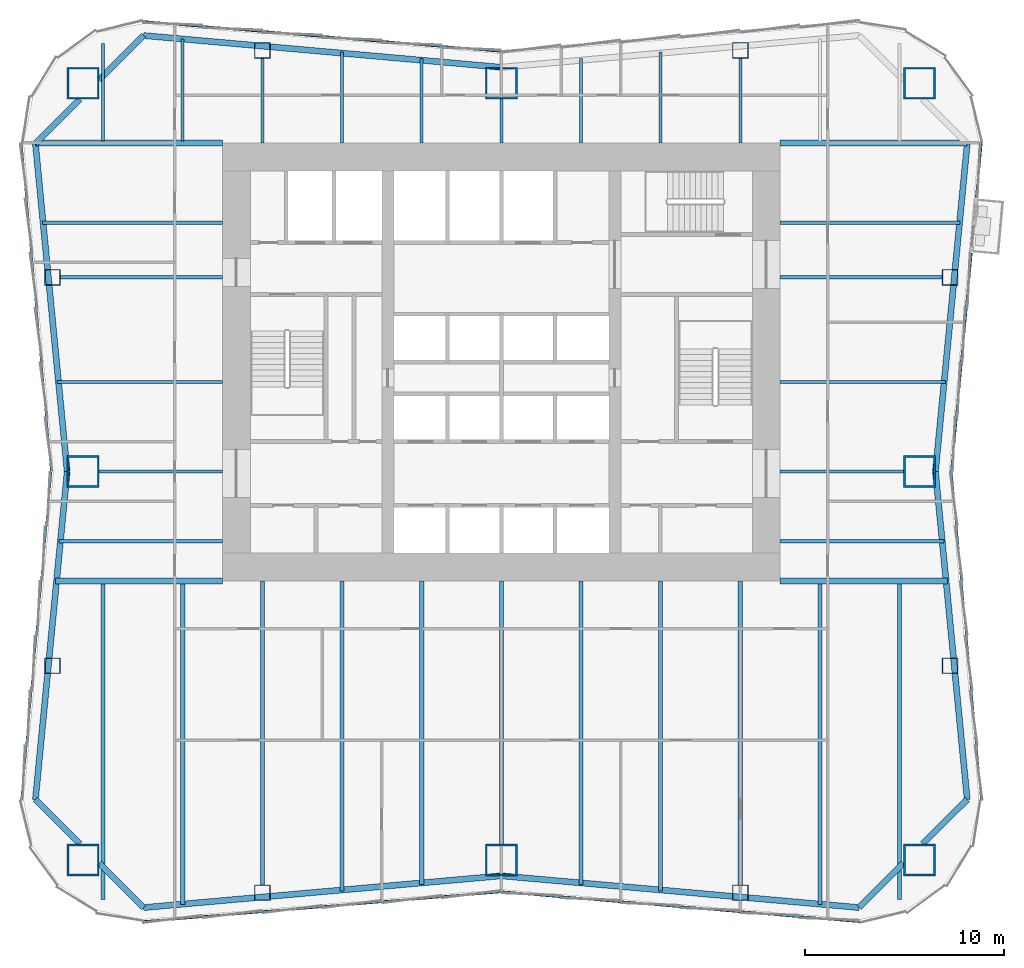
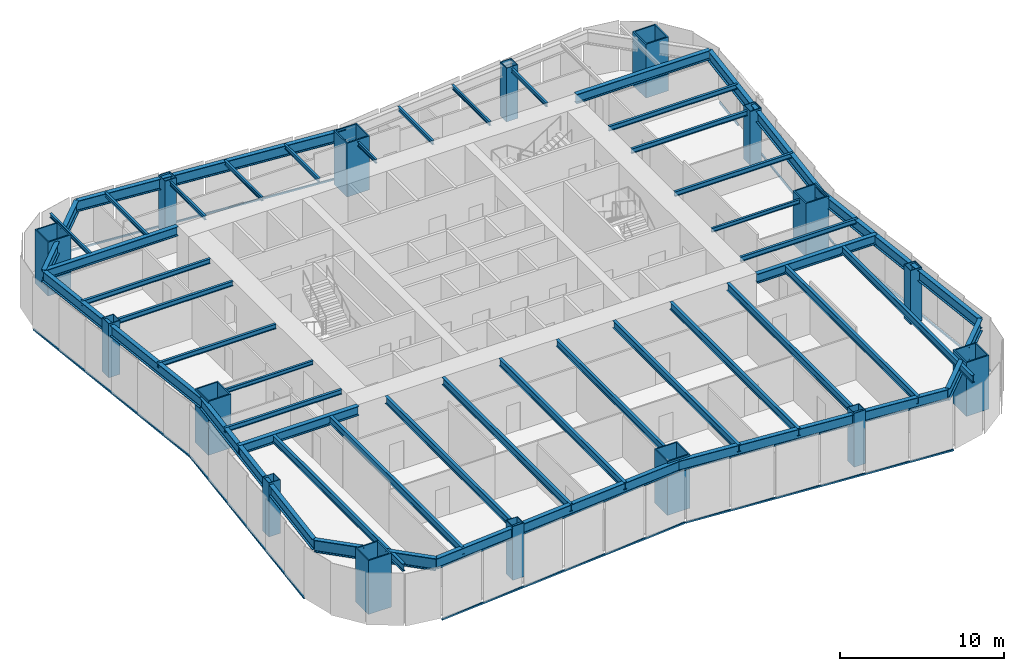
# One storey, part 1 of 8: 47 beams, 16 columns, 8 members, 4 elements without a shape of their own.
"""IFC4 building model written with IfcOpenShell, lengths in metres."""

from ifc_helpers import new_model, si_unit, direction, frame, origin, origin_2d, place, context, subcontext, project, spatial, rectangle, hollow_rectangle, i_section, extrude, material, material_profile, profile_set, type_object, element, aggregate, save


model = new_model("IFC4")

# Units and contexts
model_context = context("Model", 3, precision=1e-05, world=origin(), true_north=direction((0.0, 1.0)))
body_context = subcontext(model_context, "Body", "Model", "MODEL_VIEW")
ifc_project = project(units=[si_unit("LENGTHUNIT", "METRE"), si_unit("AREAUNIT", "SQUARE_METRE"), si_unit("VOLUMEUNIT", "CUBIC_METRE"), si_unit("PLANEANGLEUNIT", "RADIAN"), si_unit("MASSUNIT", "GRAM", prefix="KILO")], contexts=[model_context])

# Site, building, storey
site_placement = place(None, origin())
site = spatial("IfcSite", under=ifc_project, at=site_placement, CompositionType="ELEMENT")
building_placement = place(site_placement, origin())
building = spatial("IfcBuilding", under=site, at=building_placement, Name="Verdant Reach Tower", CompositionType="ELEMENT")
storey_placement = place(building_placement, frame((0.0, 0.0, 18.0)))
storey = spatial("IfcBuildingStorey", under=building, at=storey_placement, Name="L03", CompositionType="ELEMENT", Elevation=18.0)

# Columns
ifc_material_1 = material(Name="Steel S460", Category="steel")
ifc_material_profile_1 = material_profile(ifc_material_1, hollow_rectangle(XDim=1.60009765625, YDim=1.60009765625, WallThickness=0.090087890625, at=origin_2d()), Name="WB 1600x1600x90")
ifc_profile_set_1 = profile_set([ifc_material_profile_1], Name="Steel S460")
column_type_1 = type_object("IfcColumnType", Name="ST-COL-WB1600x1600x90", PredefinedType="COLUMN", material=ifc_profile_set_1)
for number, where, z_axis, x_axis, name in (
    (1, (-21.0, 42.0, 0.0), (0.0, 0.0, 1.0), (1.0, 0.0, 0.0), "Mega column north-west, L03"),
    (2, (0.0, 42.0, 0.0), (0.0, 0.0, 1.0), (1.0, 0.0, 0.0), "Mega column north, L03"),
    (3, (21.0, 42.0, 0.0), (0.0, 0.0, 1.0), (1.0, 0.0, 0.0), "Mega column north-east, L03"),
    (4, (21.0, 22.5, 0.0), (0.0, 0.0, 1.0), (1.0, 0.0, 0.0), "Mega column east, L03"),
    (5, (21.0, 3.0, 0.0), (0.0, 0.0, 1.0), (1.0, 0.0, 0.0), "Mega column south-east, L03"),
    (6, (0.0, 3.0, 0.0), (0.0, 0.0, 1.0), (1.0, 0.0, 0.0), "Mega column south, L03"),
    (7, (-21.0, 3.0, 0.0), (0.0, 0.0, 1.0), (1.0, 0.0, 0.0), "Mega column south-west, L03"),
    (8, (-21.0, 22.5, 0.0), (0.0, 0.0, 1.0), (1.0, 0.0, 0.0), "Mega column west, L03"),
):
    element("IfcColumn", number, at=place(storey_placement, frame(where, z_axis=z_axis, x_axis=x_axis)), inside=storey, type_object=column_type_1, Name=name, PredefinedType="COLUMN", context=body_context, shape_type="SweptSolid", body=[
        extrude(hollow_rectangle(XDim=1.60009765625, YDim=1.60009765625, WallThickness=0.090087890625, at=origin_2d()), origin(), (0.0, 0.0, 1.0), 4.0),
    ])
ifc_material_profile_2 = material_profile(ifc_material_1, hollow_rectangle(XDim=0.800048828125, YDim=0.800048828125, WallThickness=0.0400390625, at=origin_2d()), Name="WB 800x800x40")
ifc_profile_set_2 = profile_set([ifc_material_profile_2], Name="Steel S460")
column_type_2 = type_object("IfcColumnType", Name="ST-COL-WB800x800x40", PredefinedType="COLUMN", material=ifc_profile_set_2)
for number, where, z_axis, x_axis, name in (
    (9, (-12.0, 43.64990234375, 0.0), (0.0, 0.0, 1.0), (1.0, 0.0, 0.0), "Perimeter column north 1, L03"),
    (10, (12.0, 43.64990234375, 0.0), (0.0, 0.0, 1.0), (1.0, 0.0, 0.0), "Perimeter column north 2, L03"),
    (11, (-12.0, 1.35009765625, 0.0), (0.0, 0.0, 1.0), (1.0, 0.0, 0.0), "Perimeter column south 1, L03"),
    (12, (12.0, 1.35009765625, 0.0), (0.0, 0.0, 1.0), (1.0, 0.0, 0.0), "Perimeter column south 2, L03"),
    (13, (22.536376953125, 12.75, 0.0), (0.0, 0.0, 1.0), (1.0, 0.0, 0.0), "Perimeter column east 1, L03"),
    (14, (22.536376953125, 32.25, 0.0), (0.0, 0.0, 1.0), (1.0, 0.0, 0.0), "Perimeter column east 2, L03"),
    (15, (-22.536376953125, 12.75, 0.0), (0.0, 0.0, 1.0), (1.0, 0.0, 0.0), "Perimeter column west 1, L03"),
    (16, (-22.536376953125, 32.25, 0.0), (0.0, 0.0, 1.0), (1.0, 0.0, 0.0), "Perimeter column west 2, L03"),
):
    element("IfcColumn", number, at=place(storey_placement, frame(where, z_axis=z_axis, x_axis=x_axis)), inside=storey, type_object=column_type_2, Name=name, PredefinedType="COLUMN", context=body_context, shape_type="SweptSolid", body=[
        extrude(hollow_rectangle(XDim=0.800048828125, YDim=0.800048828125, WallThickness=0.0400390625, at=origin_2d()), origin(), (0.0, 0.0, 1.0), 4.0),
    ])

# Curtain wall, members
ifc_material_2 = material(Name="Anodised aluminium", Category="aluminium")
curtain_wall_type = type_object("IfcCurtainWallType", Name="EN-CW SYSTEM Z0", PredefinedType="NOTDEFINED", material=ifc_material_2)
curtain_wall_1_placement = place(storey_placement, origin())
curtain_wall_1 = element("IfcCurtainWall", 17, at=curtain_wall_1_placement, inside=storey, type_object=curtain_wall_type, Name="Curtain wall east, L03", PredefinedType="NOTDEFINED")
ifc_material_profile_3 = material_profile(ifc_material_2, rectangle(XDim=0.10009765625, YDim=0.1201171875, at=origin_2d()), Name="Transom 120x100")
ifc_profile_set_3 = profile_set([ifc_material_profile_3], Name="Anodised aluminium")
member_type = type_object("IfcMemberType", Name="EN-TRANSOM Z0", PredefinedType="USERDEFINED", material=ifc_profile_set_3)
member_1_placement = place(storey_placement, frame((24.09716796875, 6.024658203125, -0.2900390625), z_axis=(-0.090495755184, 0.995896841191, 0.0), x_axis=(-0.995896841191, -0.090495755184, 0.0)))
member_1 = element("IfcMember", 18, at=member_1_placement, type_object=member_type, Name="Transom east face part 1 1.1, L03", ObjectType="TRANSOM", PredefinedType="USERDEFINED", context=body_context, shape_type="SweptSolid", body=[
    extrude(rectangle(XDim=0.10009765625, YDim=0.1201171875, at=origin_2d()), origin(), (0.0, 0.0, 1.0), 16.513427734375),
])
member_2_placement = place(storey_placement, frame((22.602783203125, 22.52978515625, -0.2900390625), z_axis=(0.090569838391, 0.995890106575, 0.0), x_axis=(-0.995890106575, 0.090569838391, 0.0)))
member_2 = element("IfcMember", 19, at=member_2_placement, type_object=member_type, Name="Transom east face part 2 1.1, L03", ObjectType="TRANSOM", PredefinedType="USERDEFINED", context=body_context, shape_type="SweptSolid", body=[
    extrude(rectangle(XDim=0.10009765625, YDim=0.1201171875, at=origin_2d()), origin(), (0.0, 0.0, 1.0), 10.9765625),
])
member_3_placement = place(storey_placement, frame((23.852294921875, 36.270751953125, -0.2900390625), z_axis=(0.090170976609, 0.995926299973, 0.0), x_axis=(-0.995926299973, 0.090170976609, 0.0)))
member_3 = element("IfcMember", 20, at=member_3_placement, type_object=member_type, Name="Transom east face part 2 2.1, L03", ObjectType="TRANSOM", PredefinedType="USERDEFINED", context=body_context, shape_type="SweptSolid", body=[
    extrude(rectangle(XDim=0.10009765625, YDim=0.1201171875, at=origin_2d()), origin(), (0.0, 0.0, 1.0), 2.715576171875),
])
aggregate(curtain_wall_1, [member_1, member_2, member_3])

# Curtain wall, member
curtain_wall_2_placement = place(storey_placement, origin())
curtain_wall_2 = element("IfcCurtainWall", 21, at=curtain_wall_2_placement, inside=storey, type_object=curtain_wall_type, Name="Curtain wall north, L03", PredefinedType="NOTDEFINED")
member_4_placement = place(storey_placement, frame((-0.02978515625, 43.6025390625, -0.2900390625), z_axis=(-0.996548656072, 0.083010698588, 0.0), x_axis=(-0.083010698588, -0.996548656072, 0.0)))
member_4 = element("IfcMember", 22, at=member_4_placement, type_object=member_type, Name="Transom north face part 2 1.1, L03", ObjectType="TRANSOM", PredefinedType="USERDEFINED", context=body_context, shape_type="SweptSolid", body=[
    extrude(rectangle(XDim=0.10009765625, YDim=0.1201171875, at=origin_2d()), origin(), (0.0, 0.0, 1.0), 18.00830078125),
])
aggregate(curtain_wall_2, [member_4])

# Curtain wall, members
curtain_wall_3_placement = place(storey_placement, origin())
curtain_wall_3 = element("IfcCurtainWall", 23, at=curtain_wall_3_placement, inside=storey, type_object=curtain_wall_type, Name="Curtain wall west, L03", PredefinedType="NOTDEFINED")
member_5_placement = place(storey_placement, frame((-24.09716796875, 38.975341796875, -0.2900390625), z_axis=(0.090495755184, -0.995896841191, 0.0), x_axis=(0.995896841191, 0.090495755184, 0.0)))
member_5 = element("IfcMember", 24, at=member_5_placement, type_object=member_type, Name="Transom west face part 1 1.1, L03", ObjectType="TRANSOM", PredefinedType="USERDEFINED", context=body_context, shape_type="SweptSolid", body=[
    extrude(rectangle(XDim=0.10009765625, YDim=0.1201171875, at=origin_2d()), origin(), (0.0, 0.0, 1.0), 16.513427734375),
])
member_6_placement = place(storey_placement, frame((-22.602783203125, 22.47021484375, -0.2900390625), z_axis=(-0.090495755184, -0.995896841191, 0.0), x_axis=(0.995896841191, -0.090495755184, 0.0)))
member_6 = element("IfcMember", 25, at=member_6_placement, type_object=member_type, Name="Transom west face part 2 1.1, L03", ObjectType="TRANSOM", PredefinedType="USERDEFINED", context=body_context, shape_type="SweptSolid", body=[
    extrude(rectangle(XDim=0.10009765625, YDim=0.1201171875, at=origin_2d()), origin(), (0.0, 0.0, 1.0), 16.513427734375),
])
aggregate(curtain_wall_3, [member_5, member_6])

curtain_wall_4_placement = place(storey_placement, origin())
curtain_wall_4 = element("IfcCurtainWall", 26, at=curtain_wall_4_placement, inside=storey, type_object=curtain_wall_type, Name="Curtain wall south, L03", PredefinedType="NOTDEFINED")
member_7_placement = place(storey_placement, frame((-17.975830078125, -0.097412109375, -0.2900390625), z_axis=(0.996548656072, 0.083010698588, 0.0), x_axis=(-0.083010698588, 0.996548656072, 0.0)))
member_7 = element("IfcMember", 27, at=member_7_placement, type_object=member_type, Name="Transom south face part 1 1.1, L03", ObjectType="TRANSOM", PredefinedType="USERDEFINED", context=body_context, shape_type="SweptSolid", body=[
    extrude(rectangle(XDim=0.10009765625, YDim=0.1201171875, at=origin_2d()), origin(), (0.0, 0.0, 1.0), 18.00830078125),
])
member_8_placement = place(storey_placement, frame((0.02978515625, 1.3974609375, -0.2900390625), z_axis=(0.996548656072, -0.083010698588, 0.0), x_axis=(0.083010698588, 0.996548656072, 0.0)))
member_8 = element("IfcMember", 28, at=member_8_placement, type_object=member_type, Name="Transom south face part 2 1.1, L03", ObjectType="TRANSOM", PredefinedType="USERDEFINED", context=body_context, shape_type="SweptSolid", body=[
    extrude(rectangle(XDim=0.10009765625, YDim=0.1201171875, at=origin_2d()), origin(), (0.0, 0.0, 1.0), 18.00830078125),
])
aggregate(curtain_wall_4, [member_7, member_8])

# Beams
ifc_material_3 = material(Name="Steel S355", Category="steel")
ifc_material_profile_4 = material_profile(ifc_material_3, i_section(OverallWidth=0.300048828125, OverallDepth=0.699951171875, WebThickness=0.01708984375, FlangeThickness=0.031982421875, FilletRadius=0.027099609375, at=origin_2d()), Name="HEB 700")
ifc_profile_set_4 = profile_set([ifc_material_profile_4], Name="Steel S355")
beam_type_1 = type_object("IfcBeamType", Name="ST-BEAM-HEB700", PredefinedType="BEAM", material=ifc_profile_set_4)
for number, where, z_axis, x_axis, name in (
    (29, (14.0, 39.0, 3.52001953125), (1.0, 0.0, 0.0), (0.0, 1.0, 0.0), "Trimmer beam, L03"),
    (30, (-14.0, 39.0, 3.52001953125), (-1.0, 0.0, 0.0), (0.0, -1.0, 0.0), "Trimmer beam, L03"),
):
    element("IfcBeam", number, at=place(storey_placement, frame(where, z_axis=z_axis, x_axis=x_axis)), inside=storey, type_object=beam_type_1, Name=name, PredefinedType="BEAM", context=body_context, shape_type="SweptSolid", body=[
        extrude(i_section(OverallWidth=0.300048828125, OverallDepth=0.699951171875, WebThickness=0.01708984375, FlangeThickness=0.031982421875, FilletRadius=0.027099609375, at=origin_2d()), origin(), (0.0, 0.0, 1.0), 9.38818359375),
    ])
for number, where, z_axis, x_axis, name in (
    (31, (14.0, 17.0, 3.52001953125), (1.0, 0.0, 0.0), (0.0, 1.0, 0.0), "Trimmer beam, L03"),
    (32, (-14.0, 17.0, 3.52001953125), (-1.0, 0.0, 0.0), (0.0, -1.0, 0.0), "Trimmer beam, L03"),
):
    element("IfcBeam", number, at=place(storey_placement, frame(where, z_axis=z_axis, x_axis=x_axis)), inside=storey, type_object=beam_type_1, Name=name, PredefinedType="BEAM", context=body_context, shape_type="SweptSolid", body=[
        extrude(i_section(OverallWidth=0.300048828125, OverallDepth=0.699951171875, WebThickness=0.01708984375, FlangeThickness=0.031982421875, FilletRadius=0.027099609375, at=origin_2d()), origin(), (0.0, 0.0, 1.0), 8.3974609375),
    ])
ifc_material_profile_5 = material_profile(ifc_material_3, i_section(OverallWidth=0.14990234375, OverallDepth=0.300048828125, WebThickness=0.007080078125, FlangeThickness=0.0107421875, FilletRadius=0.014892578125, at=origin_2d()), Name="IPE 300")
ifc_profile_set_5 = profile_set([ifc_material_profile_5], Name="Steel S355")
beam_type_2 = type_object("IfcBeamType", Name="ST-JOIST-IPE300", PredefinedType="JOIST", material=ifc_profile_set_5)
beam_1_placement = place(storey_placement, frame((-20.0, 39.10009765625, 3.719970703125), z_axis=(0.0, 1.0, 0.0), x_axis=(-1.0, 0.0, 0.0)))
element("IfcBeam", 33, at=beam_1_placement, inside=storey, type_object=beam_type_2, Name="Floor joist, L03", PredefinedType="JOIST", context=body_context, shape_type="SweptSolid", body=[
    extrude(i_section(OverallWidth=0.14990234375, OverallDepth=0.300048828125, WebThickness=0.007080078125, FlangeThickness=0.0107421875, FilletRadius=0.014892578125, at=origin_2d()), origin(), (0.0, 0.0, 1.0), 4.890380859375),
])
beam_2_placement = place(storey_placement, frame((-16.0, 39.10009765625, 3.719970703125), z_axis=(0.0, 1.0, 0.0), x_axis=(-1.0, 0.0, 0.0)))
element("IfcBeam", 34, at=beam_2_placement, inside=storey, type_object=beam_type_2, Name="Floor joist, L03", PredefinedType="JOIST", context=body_context, shape_type="SweptSolid", body=[
    extrude(i_section(OverallWidth=0.14990234375, OverallDepth=0.300048828125, WebThickness=0.007080078125, FlangeThickness=0.0107421875, FilletRadius=0.014892578125, at=origin_2d()), origin(), (0.0, 0.0, 1.0), 5.131103515625),
])
beam_3_placement = place(storey_placement, frame((-12.0, 39.0, 3.719970703125), z_axis=(0.0, 1.0, 0.0), x_axis=(-1.0, 0.0, 0.0)))
element("IfcBeam", 35, at=beam_3_placement, inside=storey, type_object=beam_type_2, Name="Floor joist, L03", PredefinedType="JOIST", context=body_context, shape_type="SweptSolid", body=[
    extrude(i_section(OverallWidth=0.14990234375, OverallDepth=0.300048828125, WebThickness=0.007080078125, FlangeThickness=0.0107421875, FilletRadius=0.014892578125, at=origin_2d()), origin(), (0.0, 0.0, 1.0), 4.25),
])
beam_4_placement = place(storey_placement, frame((-8.0, 39.0, 3.719970703125), z_axis=(0.0, 1.0, 0.0), x_axis=(-1.0, 0.0, 0.0)))
element("IfcBeam", 36, at=beam_4_placement, inside=storey, type_object=beam_type_2, Name="Floor joist, L03", PredefinedType="JOIST", context=body_context, shape_type="SweptSolid", body=[
    extrude(i_section(OverallWidth=0.14990234375, OverallDepth=0.300048828125, WebThickness=0.007080078125, FlangeThickness=0.0107421875, FilletRadius=0.014892578125, at=origin_2d()), origin(), (0.0, 0.0, 1.0), 4.564697265625),
])
beam_5_placement = place(storey_placement, frame((-4.0, 39.0, 3.719970703125), z_axis=(0.0, 1.0, 0.0), x_axis=(-1.0, 0.0, 0.0)))
element("IfcBeam", 37, at=beam_5_placement, inside=storey, type_object=beam_type_2, Name="Floor joist, L03", PredefinedType="JOIST", context=body_context, shape_type="SweptSolid", body=[
    extrude(i_section(OverallWidth=0.14990234375, OverallDepth=0.300048828125, WebThickness=0.007080078125, FlangeThickness=0.0107421875, FilletRadius=0.014892578125, at=origin_2d()), origin(), (0.0, 0.0, 1.0), 4.231201171875),
])
beam_6_placement = place(storey_placement, frame((0.0, 39.0, 3.719970703125), z_axis=(0.0, 1.0, 0.0), x_axis=(-1.0, 0.0, 0.0)))
element("IfcBeam", 38, at=beam_6_placement, inside=storey, type_object=beam_type_2, Name="Floor joist, L03", PredefinedType="JOIST", context=body_context, shape_type="SweptSolid", body=[
    extrude(i_section(OverallWidth=0.14990234375, OverallDepth=0.300048828125, WebThickness=0.007080078125, FlangeThickness=0.0107421875, FilletRadius=0.014892578125, at=origin_2d()), origin(), (0.0, 0.0, 1.0), 2.199951171875),
])
beam_7_placement = place(storey_placement, frame((4.0, 39.0, 3.719970703125), z_axis=(0.0, 1.0, 0.0), x_axis=(-1.0, 0.0, 0.0)))
element("IfcBeam", 39, at=beam_7_placement, inside=storey, type_object=beam_type_2, Name="Floor joist, L03", PredefinedType="JOIST", context=body_context, shape_type="SweptSolid", body=[
    extrude(i_section(OverallWidth=0.14990234375, OverallDepth=0.300048828125, WebThickness=0.007080078125, FlangeThickness=0.0107421875, FilletRadius=0.014892578125, at=origin_2d()), origin(), (0.0, 0.0, 1.0), 4.231201171875),
])
beam_8_placement = place(storey_placement, frame((8.0, 39.0, 3.719970703125), z_axis=(0.0, 1.0, 0.0), x_axis=(-1.0, 0.0, 0.0)))
element("IfcBeam", 40, at=beam_8_placement, inside=storey, type_object=beam_type_2, Name="Floor joist, L03", PredefinedType="JOIST", context=body_context, shape_type="SweptSolid", body=[
    extrude(i_section(OverallWidth=0.14990234375, OverallDepth=0.300048828125, WebThickness=0.007080078125, FlangeThickness=0.0107421875, FilletRadius=0.014892578125, at=origin_2d()), origin(), (0.0, 0.0, 1.0), 4.564697265625),
])
beam_9_placement = place(storey_placement, frame((12.0, 39.0, 3.719970703125), z_axis=(0.0, 1.0, 0.0), x_axis=(-1.0, 0.0, 0.0)))
element("IfcBeam", 41, at=beam_9_placement, inside=storey, type_object=beam_type_2, Name="Floor joist, L03", PredefinedType="JOIST", context=body_context, shape_type="SweptSolid", body=[
    extrude(i_section(OverallWidth=0.14990234375, OverallDepth=0.300048828125, WebThickness=0.007080078125, FlangeThickness=0.0107421875, FilletRadius=0.014892578125, at=origin_2d()), origin(), (0.0, 0.0, 1.0), 4.25),
])
for number, where, z_axis, x_axis, name in (
    (42, (14.0, 22.5, 3.719970703125), (1.0, 0.0, 0.0), (0.0, 1.0, 0.0), "Floor joist, L03"),
    (43, (-14.0, 22.5, 3.719970703125), (-1.0, 0.0, 0.0), (0.0, -1.0, 0.0), "Floor joist, L03"),
):
    element("IfcBeam", number, at=place(storey_placement, frame(where, z_axis=z_axis, x_axis=x_axis)), inside=storey, type_object=beam_type_2, Name=name, PredefinedType="JOIST", context=body_context, shape_type="SweptSolid", body=[
        extrude(i_section(OverallWidth=0.14990234375, OverallDepth=0.300048828125, WebThickness=0.007080078125, FlangeThickness=0.0107421875, FilletRadius=0.014892578125, at=origin_2d()), origin(), (0.0, 0.0, 1.0), 6.199951171875),
    ])
ifc_material_profile_6 = material_profile(ifc_material_3, i_section(OverallWidth=0.169921875, OverallDepth=0.360107421875, WebThickness=0.008056640625, FlangeThickness=0.0126953125, FilletRadius=0.01806640625, at=origin_2d()), Name="IPE 360")
ifc_profile_set_6 = profile_set([ifc_material_profile_6], Name="Steel S355")
beam_type_3 = type_object("IfcBeamType", Name="ST-JOIST-IPE360", PredefinedType="JOIST", material=ifc_profile_set_6)
for number, where, z_axis, x_axis, name in (
    (44, (14.0, 19.0, 3.68994140625), (1.0, 0.0, 0.0), (0.0, 1.0, 0.0), "Floor joist, L03"),
    (45, (-14.0, 19.0, 3.68994140625), (-1.0, 0.0, 0.0), (0.0, -1.0, 0.0), "Floor joist, L03"),
):
    element("IfcBeam", number, at=place(storey_placement, frame(where, z_axis=z_axis, x_axis=x_axis)), inside=storey, type_object=beam_type_3, Name=name, PredefinedType="JOIST", context=body_context, shape_type="SweptSolid", body=[
        extrude(i_section(OverallWidth=0.169921875, OverallDepth=0.360107421875, WebThickness=0.008056640625, FlangeThickness=0.0126953125, FilletRadius=0.01806640625, at=origin_2d()), origin(), (0.0, 0.0, 1.0), 8.2158203125),
    ])
for number, where, z_axis, x_axis, name in (
    (46, (14.0, 27.0, 3.68994140625), (1.0, 0.0, 0.0), (0.0, 1.0, 0.0), "Floor joist, L03"),
    (47, (-14.0, 27.0, 3.68994140625), (-1.0, 0.0, 0.0), (0.0, -1.0, 0.0), "Floor joist, L03"),
):
    element("IfcBeam", number, at=place(storey_placement, frame(where, z_axis=z_axis, x_axis=x_axis)), inside=storey, type_object=beam_type_3, Name=name, PredefinedType="JOIST", context=body_context, shape_type="SweptSolid", body=[
        extrude(i_section(OverallWidth=0.169921875, OverallDepth=0.360107421875, WebThickness=0.008056640625, FlangeThickness=0.0126953125, FilletRadius=0.01806640625, at=origin_2d()), origin(), (0.0, 0.0, 1.0), 8.306640625),
    ])
for number, where, z_axis, x_axis, name in (
    (48, (14.0, 32.25, 3.68994140625), (1.0, 0.0, 0.0), (0.0, 1.0, 0.0), "Floor joist, L03"),
    (49, (-14.0, 32.25, 3.68994140625), (-1.0, 0.0, 0.0), (0.0, -1.0, 0.0), "Floor joist, L03"),
):
    element("IfcBeam", number, at=place(storey_placement, frame(where, z_axis=z_axis, x_axis=x_axis)), inside=storey, type_object=beam_type_3, Name=name, PredefinedType="JOIST", context=body_context, shape_type="SweptSolid", body=[
        extrude(i_section(OverallWidth=0.169921875, OverallDepth=0.360107421875, WebThickness=0.008056640625, FlangeThickness=0.0126953125, FilletRadius=0.01806640625, at=origin_2d()), origin(), (0.0, 0.0, 1.0), 8.136474609375),
    ])
for number, where, z_axis, x_axis, name in (
    (50, (14.0, 35.0, 3.68994140625), (1.0, 0.0, 0.0), (0.0, 1.0, 0.0), "Floor joist, L03"),
    (51, (-14.0, 35.0, 3.68994140625), (-1.0, 0.0, 0.0), (0.0, -1.0, 0.0), "Floor joist, L03"),
):
    element("IfcBeam", number, at=place(storey_placement, frame(where, z_axis=z_axis, x_axis=x_axis)), inside=storey, type_object=beam_type_3, Name=name, PredefinedType="JOIST", context=body_context, shape_type="SweptSolid", body=[
        extrude(i_section(OverallWidth=0.169921875, OverallDepth=0.360107421875, WebThickness=0.008056640625, FlangeThickness=0.0126953125, FilletRadius=0.01806640625, at=origin_2d()), origin(), (0.0, 0.0, 1.0), 9.033935546875),
    ])
ifc_material_profile_7 = material_profile(ifc_material_3, i_section(OverallWidth=0.199951171875, OverallDepth=0.5, WebThickness=0.01025390625, FlangeThickness=0.01611328125, FilletRadius=0.02099609375, at=origin_2d()), Name="IPE 500")
ifc_profile_set_7 = profile_set([ifc_material_profile_7], Name="Steel S355")
beam_type_4 = type_object("IfcBeamType", Name="ST-JOIST-IPE500", PredefinedType="JOIST", material=ifc_profile_set_7)
beam_10_placement = place(storey_placement, frame((0.0, 17.0, 3.6201171875), z_axis=(0.0, -1.0, 0.0), x_axis=(1.0, 0.0, 0.0)))
element("IfcBeam", 52, at=beam_10_placement, inside=storey, type_object=beam_type_4, Name="Floor joist, L03", PredefinedType="JOIST", context=body_context, shape_type="SweptSolid", body=[
    extrude(i_section(OverallWidth=0.199951171875, OverallDepth=0.5, WebThickness=0.01025390625, FlangeThickness=0.01611328125, FilletRadius=0.02099609375, at=origin_2d()), origin(), (0.0, 0.0, 1.0), 13.199951171875),
])
ifc_material_profile_8 = material_profile(ifc_material_3, i_section(OverallWidth=0.2099609375, OverallDepth=0.550048828125, WebThickness=0.010986328125, FlangeThickness=0.01708984375, FilletRadius=0.02392578125, at=origin_2d()), Name="IPE 550")
ifc_profile_set_8 = profile_set([ifc_material_profile_8], Name="Steel S355")
beam_type_5 = type_object("IfcBeamType", Name="ST-JOIST-IPE550", PredefinedType="JOIST", material=ifc_profile_set_8)
beam_11_placement = place(storey_placement, frame((-20.0, 16.89990234375, 3.594970703125), z_axis=(0.0, -1.0, 0.0), x_axis=(1.0, 0.0, 0.0)))
element("IfcBeam", 53, at=beam_11_placement, inside=storey, type_object=beam_type_5, Name="Floor joist, L03", PredefinedType="JOIST", context=body_context, shape_type="SweptSolid", body=[
    extrude(i_section(OverallWidth=0.2099609375, OverallDepth=0.550048828125, WebThickness=0.010986328125, FlangeThickness=0.01708984375, FilletRadius=0.02392578125, at=origin_2d()), origin(), (0.0, 0.0, 1.0), 15.890380859375),
])
beam_12_placement = place(storey_placement, frame((-16.0, 16.89990234375, 3.594970703125), z_axis=(0.0, -1.0, 0.0), x_axis=(1.0, 0.0, 0.0)))
element("IfcBeam", 54, at=beam_12_placement, inside=storey, type_object=beam_type_5, Name="Floor joist, L03", PredefinedType="JOIST", context=body_context, shape_type="SweptSolid", body=[
    extrude(i_section(OverallWidth=0.2099609375, OverallDepth=0.550048828125, WebThickness=0.010986328125, FlangeThickness=0.01708984375, FilletRadius=0.02392578125, at=origin_2d()), origin(), (0.0, 0.0, 1.0), 16.131103515625),
])
beam_13_placement = place(storey_placement, frame((-12.0, 17.0, 3.594970703125), z_axis=(0.0, -1.0, 0.0), x_axis=(1.0, 0.0, 0.0)))
element("IfcBeam", 55, at=beam_13_placement, inside=storey, type_object=beam_type_5, Name="Floor joist, L03", PredefinedType="JOIST", context=body_context, shape_type="SweptSolid", body=[
    extrude(i_section(OverallWidth=0.2099609375, OverallDepth=0.550048828125, WebThickness=0.010986328125, FlangeThickness=0.01708984375, FilletRadius=0.02392578125, at=origin_2d()), origin(), (0.0, 0.0, 1.0), 15.25),
])
beam_14_placement = place(storey_placement, frame((-8.0, 17.0, 3.594970703125), z_axis=(0.0, -1.0, 0.0), x_axis=(1.0, 0.0, 0.0)))
element("IfcBeam", 56, at=beam_14_placement, inside=storey, type_object=beam_type_5, Name="Floor joist, L03", PredefinedType="JOIST", context=body_context, shape_type="SweptSolid", body=[
    extrude(i_section(OverallWidth=0.2099609375, OverallDepth=0.550048828125, WebThickness=0.010986328125, FlangeThickness=0.01708984375, FilletRadius=0.02392578125, at=origin_2d()), origin(), (0.0, 0.0, 1.0), 15.564697265625),
])
for number, where, z_axis, x_axis, name in (
    (57, (-4.0, 17.0, 3.594970703125), (0.0, -1.0, 0.0), (1.0, 0.0, 0.0), "Floor joist, L03"),
    (58, (4.0, 17.0, 3.594970703125), (0.0, -1.0, 0.0), (1.0, 0.0, 0.0), "Floor joist, L03"),
):
    element("IfcBeam", number, at=place(storey_placement, frame(where, z_axis=z_axis, x_axis=x_axis)), inside=storey, type_object=beam_type_5, Name=name, PredefinedType="JOIST", context=body_context, shape_type="SweptSolid", body=[
        extrude(i_section(OverallWidth=0.2099609375, OverallDepth=0.550048828125, WebThickness=0.010986328125, FlangeThickness=0.01708984375, FilletRadius=0.02392578125, at=origin_2d()), origin(), (0.0, 0.0, 1.0), 15.231201171875),
    ])
beam_15_placement = place(storey_placement, frame((8.0, 17.0, 3.594970703125), z_axis=(0.0, -1.0, 0.0), x_axis=(1.0, 0.0, 0.0)))
element("IfcBeam", 59, at=beam_15_placement, inside=storey, type_object=beam_type_5, Name="Floor joist, L03", PredefinedType="JOIST", context=body_context, shape_type="SweptSolid", body=[
    extrude(i_section(OverallWidth=0.2099609375, OverallDepth=0.550048828125, WebThickness=0.010986328125, FlangeThickness=0.01708984375, FilletRadius=0.02392578125, at=origin_2d()), origin(), (0.0, 0.0, 1.0), 15.564697265625),
])
beam_16_placement = place(storey_placement, frame((12.0, 17.0, 3.594970703125), z_axis=(0.0, -1.0, 0.0), x_axis=(1.0, 0.0, 0.0)))
element("IfcBeam", 60, at=beam_16_placement, inside=storey, type_object=beam_type_5, Name="Floor joist, L03", PredefinedType="JOIST", context=body_context, shape_type="SweptSolid", body=[
    extrude(i_section(OverallWidth=0.2099609375, OverallDepth=0.550048828125, WebThickness=0.010986328125, FlangeThickness=0.01708984375, FilletRadius=0.02392578125, at=origin_2d()), origin(), (0.0, 0.0, 1.0), 15.25),
])
beam_17_placement = place(storey_placement, frame((16.0, 16.89990234375, 3.594970703125), z_axis=(0.0, -1.0, 0.0), x_axis=(1.0, 0.0, 0.0)))
element("IfcBeam", 61, at=beam_17_placement, inside=storey, type_object=beam_type_5, Name="Floor joist, L03", PredefinedType="JOIST", context=body_context, shape_type="SweptSolid", body=[
    extrude(i_section(OverallWidth=0.2099609375, OverallDepth=0.550048828125, WebThickness=0.010986328125, FlangeThickness=0.01708984375, FilletRadius=0.02392578125, at=origin_2d()), origin(), (0.0, 0.0, 1.0), 16.131103515625),
])
beam_18_placement = place(storey_placement, frame((20.0, 16.89990234375, 3.594970703125), z_axis=(0.0, -1.0, 0.0), x_axis=(1.0, 0.0, 0.0)))
element("IfcBeam", 62, at=beam_18_placement, inside=storey, type_object=beam_type_5, Name="Floor joist, L03", PredefinedType="JOIST", context=body_context, shape_type="SweptSolid", body=[
    extrude(i_section(OverallWidth=0.2099609375, OverallDepth=0.550048828125, WebThickness=0.010986328125, FlangeThickness=0.01708984375, FilletRadius=0.02392578125, at=origin_2d()), origin(), (0.0, 0.0, 1.0), 15.890380859375),
])
ifc_material_profile_9 = material_profile(ifc_material_3, i_section(OverallWidth=0.300048828125, OverallDepth=0.800048828125, WebThickness=0.017578125, FlangeThickness=0.032958984375, FilletRadius=0.030029296875, at=origin_2d()), Name="HEB 800")
ifc_profile_set_9 = profile_set([ifc_material_profile_9], Name="Steel S355")
beam_type_6 = type_object("IfcBeamType", Name="ST-SPANDREL-HEB800", PredefinedType="SPANDREL", material=ifc_profile_set_9)
for number, where, z_axis, x_axis, name in (
    (63, (17.9658203125, 0.60498046875, 3.469970703125), (-0.996082370463, 0.088430262084, 0.0), (-0.088430262084, -0.996082370463, 0.0), "Edge beam, L03"),
    (64, (0.0, 2.199951171875, 3.469970703125), (-0.996082370463, -0.088430262084, 0.0), (0.088430262084, -0.996082370463, 0.0), "Edge beam, L03"),
):
    element("IfcBeam", number, at=place(storey_placement, frame(where, z_axis=z_axis, x_axis=x_axis)), inside=storey, type_object=beam_type_6, Name=name, PredefinedType="SPANDREL", context=body_context, shape_type="SweptSolid", body=[
        extrude(i_section(OverallWidth=0.300048828125, OverallDepth=0.800048828125, WebThickness=0.017578125, FlangeThickness=0.032958984375, FilletRadius=0.030029296875, at=origin_2d()), origin(), (0.0, 0.0, 1.0), 18.036376953125),
    ])
for number, where, z_axis, x_axis, name in (
    (65, (-23.39453125, 6.031982421875, 3.469970703125), (0.096372296695, 0.995345357366, 0.0), (-0.995345357366, 0.096372296695, 0.0), "Edge beam, L03"),
    (66, (-21.800048828125, 22.5, 3.469970703125), (-0.096372296695, 0.995345357366, 0.0), (-0.995345357366, -0.096372296695, 0.0), "Edge beam, L03"),
):
    element("IfcBeam", number, at=place(storey_placement, frame(where, z_axis=z_axis, x_axis=x_axis)), inside=storey, type_object=beam_type_6, Name=name, PredefinedType="SPANDREL", context=body_context, shape_type="SweptSolid", body=[
        extrude(i_section(OverallWidth=0.300048828125, OverallDepth=0.800048828125, WebThickness=0.017578125, FlangeThickness=0.032958984375, FilletRadius=0.030029296875, at=origin_2d()), origin(), (0.0, 0.0, 1.0), 16.544921875),
    ])
beam_19_placement = place(storey_placement, frame((-17.9658203125, 44.39501953125, 3.469970703125), z_axis=(0.996082370463, -0.088430262084, 0.0), x_axis=(0.088430262084, 0.996082370463, 0.0)))
element("IfcBeam", 67, at=beam_19_placement, inside=storey, type_object=beam_type_6, Name="Edge beam, L03", PredefinedType="SPANDREL", context=body_context, shape_type="SweptSolid", body=[
    extrude(i_section(OverallWidth=0.300048828125, OverallDepth=0.800048828125, WebThickness=0.017578125, FlangeThickness=0.032958984375, FilletRadius=0.030029296875, at=origin_2d()), origin(), (0.0, 0.0, 1.0), 18.036376953125),
])
for number, where, z_axis, x_axis, name in (
    (68, (23.39453125, 38.968017578125, 3.469970703125), (-0.096372296695, -0.995345357366, 0.0), (0.995345357366, -0.096372296695, 0.0), "Edge beam, L03"),
    (69, (21.800048828125, 22.5, 3.469970703125), (0.096372296695, -0.995345357366, 0.0), (0.995345357366, 0.096372296695, 0.0), "Edge beam, L03"),
):
    element("IfcBeam", number, at=place(storey_placement, frame(where, z_axis=z_axis, x_axis=x_axis)), inside=storey, type_object=beam_type_6, Name=name, PredefinedType="SPANDREL", context=body_context, shape_type="SweptSolid", body=[
        extrude(i_section(OverallWidth=0.300048828125, OverallDepth=0.800048828125, WebThickness=0.017578125, FlangeThickness=0.032958984375, FilletRadius=0.030029296875, at=origin_2d()), origin(), (0.0, 0.0, 1.0), 16.544921875),
    ])
ifc_material_profile_10 = material_profile(ifc_material_3, i_section(OverallWidth=0.302001953125, OverallDepth=0.909912109375, WebThickness=0.02099609375, FlangeThickness=0.0400390625, FilletRadius=0.030029296875, at=origin_2d()), Name="HEM 900")
ifc_profile_set_10 = profile_set([ifc_material_profile_10], Name="Steel S355")
beam_type_7 = type_object("IfcBeamType", Name="ST-SPANDREL-HEM900", PredefinedType="SPANDREL", material=ifc_profile_set_10)
beam_20_placement = place(storey_placement, frame((-17.9658203125, 0.60498046875, 3.4150390625), z_axis=(-0.707222697162, 0.706990846206, 0.0), x_axis=(-0.706990846206, -0.707222697162, 0.0)))
element("IfcBeam", 70, at=beam_20_placement, inside=storey, type_object=beam_type_7, Name="Edge beam, L03", PredefinedType="SPANDREL", context=body_context, shape_type="SweptSolid", body=[
    extrude(i_section(OverallWidth=0.302001953125, OverallDepth=0.909912109375, WebThickness=0.02099609375, FlangeThickness=0.0400390625, FilletRadius=0.030029296875, at=origin_2d()), origin(), (0.0, 0.0, 1.0), 3.158935546875),
])
for number, where, z_axis, x_axis, name in (
    (71, (-21.161865234375, 3.800048828125, 3.4150390625), (-0.70722277322, 0.706990770123, 0.0), (-0.706990770123, -0.70722277322, 0.0), "Edge beam, L03"),
    (72, (-23.39453125, 38.968017578125, 3.4150390625), (0.70722277322, 0.706990770123, 0.0), (-0.706990770123, 0.70722277322, 0.0), "Edge beam, L03"),
):
    element("IfcBeam", number, at=place(storey_placement, frame(where, z_axis=z_axis, x_axis=x_axis)), inside=storey, type_object=beam_type_7, Name=name, PredefinedType="SPANDREL", context=body_context, shape_type="SweptSolid", body=[
        extrude(i_section(OverallWidth=0.302001953125, OverallDepth=0.909912109375, WebThickness=0.02099609375, FlangeThickness=0.0400390625, FilletRadius=0.030029296875, at=origin_2d()), origin(), (0.0, 0.0, 1.0), 3.156982421875),
    ])
beam_21_placement = place(storey_placement, frame((-20.199951171875, 42.16162109375, 3.4150390625), z_axis=(0.707222697162, 0.706990846206, 0.0), x_axis=(-0.706990846206, 0.707222697162, 0.0)))
element("IfcBeam", 73, at=beam_21_placement, inside=storey, type_object=beam_type_7, Name="Edge beam, L03", PredefinedType="SPANDREL", context=body_context, shape_type="SweptSolid", body=[
    extrude(i_section(OverallWidth=0.302001953125, OverallDepth=0.909912109375, WebThickness=0.02099609375, FlangeThickness=0.0400390625, FilletRadius=0.030029296875, at=origin_2d()), origin(), (0.0, 0.0, 1.0), 3.158935546875),
])
beam_22_placement = place(storey_placement, frame((23.39453125, 6.031982421875, 3.4150390625), z_axis=(-0.70722277322, -0.706990770123, 0.0), x_axis=(0.706990770123, -0.70722277322, 0.0)))
element("IfcBeam", 74, at=beam_22_placement, inside=storey, type_object=beam_type_7, Name="Edge beam, L03", PredefinedType="SPANDREL", context=body_context, shape_type="SweptSolid", body=[
    extrude(i_section(OverallWidth=0.302001953125, OverallDepth=0.909912109375, WebThickness=0.02099609375, FlangeThickness=0.0400390625, FilletRadius=0.030029296875, at=origin_2d()), origin(), (0.0, 0.0, 1.0), 3.156982421875),
])
beam_23_placement = place(storey_placement, frame((20.199951171875, 2.83837890625, 3.4150390625), z_axis=(-0.707222697162, -0.706990846206, 0.0), x_axis=(0.706990846206, -0.707222697162, 0.0)))
element("IfcBeam", 75, at=beam_23_placement, inside=storey, type_object=beam_type_7, Name="Edge beam, L03", PredefinedType="SPANDREL", context=body_context, shape_type="SweptSolid", body=[
    extrude(i_section(OverallWidth=0.302001953125, OverallDepth=0.909912109375, WebThickness=0.02099609375, FlangeThickness=0.0400390625, FilletRadius=0.030029296875, at=origin_2d()), origin(), (0.0, 0.0, 1.0), 3.158935546875),
])

save(model, "model.ifc")
